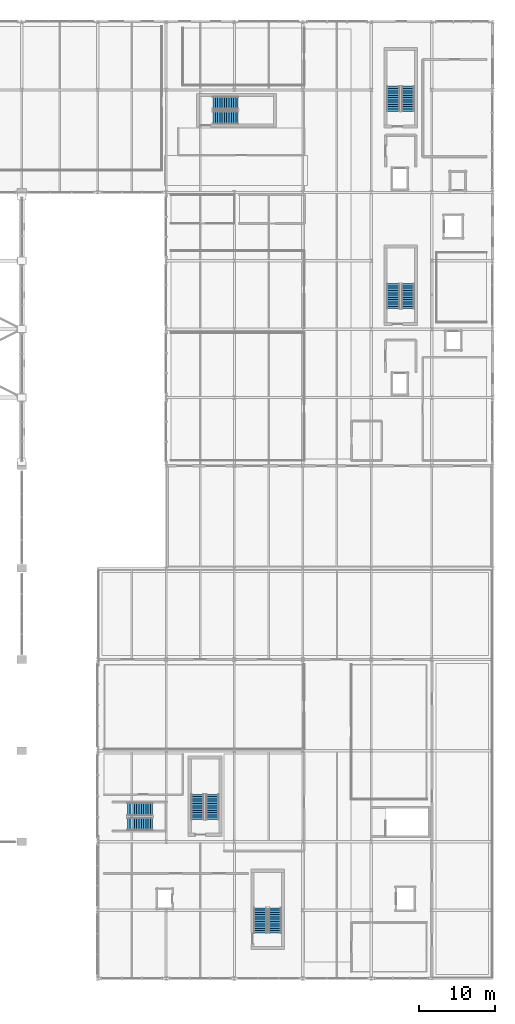
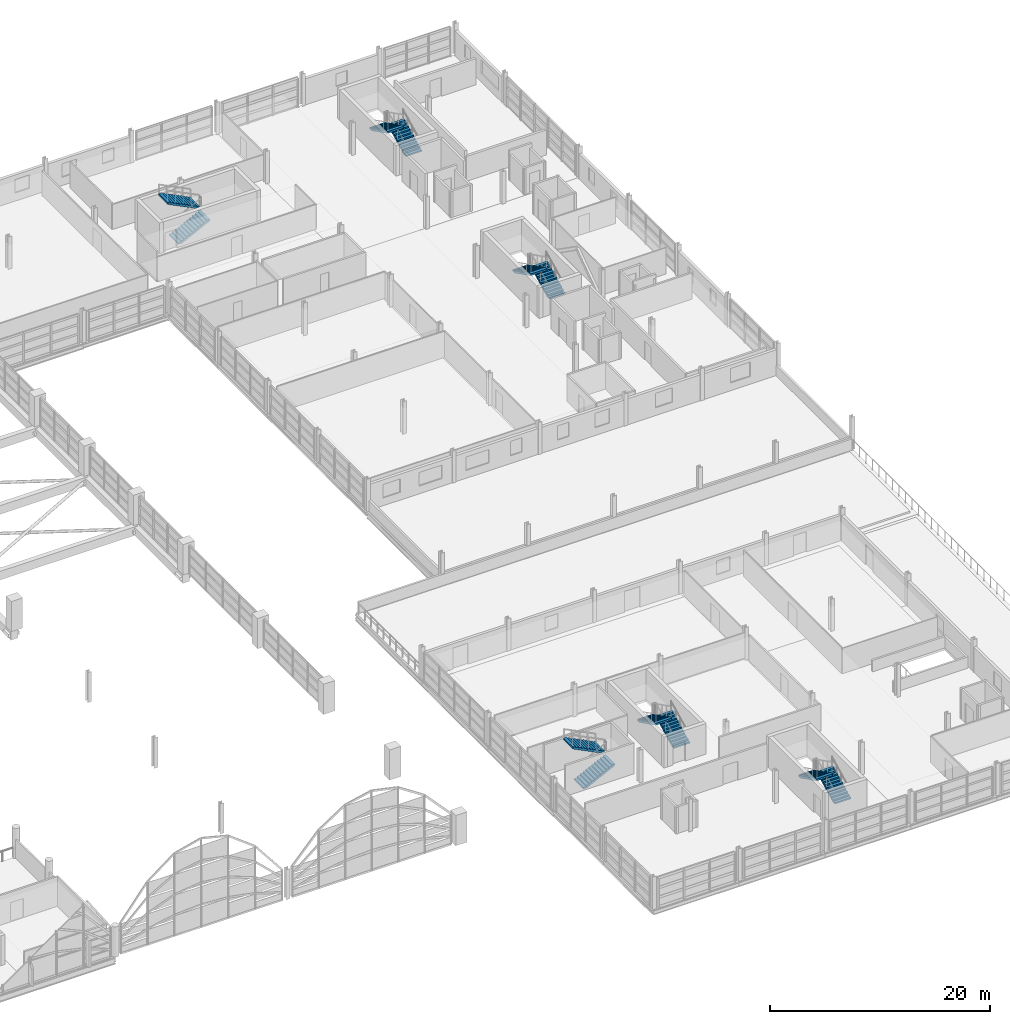
# One storey, part 104 of 116: 12 stair flights, 6 elements without a shape of their own.
"""IFC4 building model written with IfcOpenShell, lengths in metres."""

from ifc_helpers import new_model, si_unit, direction, frame, origin, place, context, subcontext, project, spatial, polyline, outline, extrude, material, type_object, element, aggregate, save


model = new_model("IFC4")

# Units and contexts
model_context = context("Model", 3, precision=1e-05, world=origin(), true_north=direction((0.0, 1.0)))
body_context = subcontext(model_context, "Body", "Model", "MODEL_VIEW")
ifc_project = project(units=[si_unit("LENGTHUNIT", "METRE"), si_unit("AREAUNIT", "SQUARE_METRE"), si_unit("VOLUMEUNIT", "CUBIC_METRE"), si_unit("PLANEANGLEUNIT", "RADIAN"), si_unit("MASSUNIT", "GRAM", prefix="KILO")], contexts=[model_context])

# Site, building, storey
site_placement = place(None, origin())
site = spatial("IfcSite", under=ifc_project, at=site_placement, CompositionType="ELEMENT")
building_placement = place(site_placement, origin())
building = spatial("IfcBuilding", under=site, at=building_placement, Name="Chuanluo Vaults Station", CompositionType="ELEMENT")
storey_placement = place(building_placement, frame((0.0, 0.0, 10.800048828125)))
storey = spatial("IfcBuildingStorey", under=building, at=storey_placement, Name="L02", CompositionType="ELEMENT", Elevation=10.800048828125)

# Stair, stair flights
ifc_material_1 = material(Name="Concrete C40", Category="concrete")
stair_type = type_object("IfcStairType", Name="STR-TWO-1600", PredefinedType="HALF_TURN_STAIR", material=ifc_material_1)
stair_1_placement = place(storey_placement, origin())
stair_1 = element("IfcStair", 1, at=stair_1_placement, inside=storey, type_object=stair_type, Name="L02 ST-01", PredefinedType="HALF_TURN_STAIR")
ifc_material_2 = material(Name="Concrete C40", Category="concrete")
stair_flight_type = type_object("IfcStairFlightType", Name="SFL-STR-1600", PredefinedType="STRAIGHT", material=ifc_material_2)
stair_flight_1_placement = place(storey_placement, frame((176.844970703125, 88.1875, 0.0), z_axis=(0.0, 0.0, 1.0), x_axis=(0.0, 1.0, 0.0)))
stair_flight_1 = element("IfcStairFlight", 2, at=stair_flight_1_placement, type_object=stair_flight_type, Name="ST-01 flight 1", NumberOfRisers=12, NumberOfTreads=11, PredefinedType="STRAIGHT", RiserHeight=0.15, TreadLength=0.3, context=body_context, shape_type="SweptSolid", body=[
    extrude(outline(polyline([(0.0, 0.0), (0.0, 0.14990234375), (0.300048828125, 0.14990234375), (0.300048828125, 0.300048828125), (0.60009765625, 0.300048828125), (0.60009765625, 0.449951171875), (0.89990234375, 0.449951171875), (0.89990234375, 0.60009765625), (1.199951171875, 0.60009765625), (1.199951171875, 0.75), (1.5, 0.75), (1.5, 0.89990234375), (1.800048828125, 0.89990234375), (1.800048828125, 1.050048828125), (2.10009765625, 1.050048828125), (2.10009765625, 1.199951171875), (2.39990234375, 1.199951171875), (2.39990234375, 1.35009765625), (2.699951171875, 1.35009765625), (2.699951171875, 1.5), (3.0, 1.5), (3.0, 1.64990234375), (3.300048828125, 1.64990234375), (3.300048828125, 1.800048828125), (3.300048828125, 1.44873046875), (0.40234375, 0.0), (0.0, 0.0)])), frame((0.0, 0.842529296875, 0.0), z_axis=(0.0, -1.0, 0.0), x_axis=(1.0, 0.0, 0.0)), (0.0, 0.0, 1.0), 1.68505859375),
])
stair_flight_2_placement = place(storey_placement, frame((174.909912109375, 91.487548828125, 1.800048828125), z_axis=(0.0, 0.0, 1.0), x_axis=(0.0, -1.0, 0.0)))
stair_flight_2 = element("IfcStairFlight", 3, at=stair_flight_2_placement, type_object=stair_flight_type, Name="ST-01 flight 2", NumberOfRisers=12, NumberOfTreads=11, PredefinedType="STRAIGHT", RiserHeight=0.15, TreadLength=0.3, context=body_context, shape_type="SweptSolid", body=[
    extrude(outline(polyline([(0.0, 0.0), (0.0, 0.14990234375), (0.300048828125, 0.14990234375), (0.300048828125, 0.300048828125), (0.60009765625, 0.300048828125), (0.60009765625, 0.449951171875), (0.89990234375, 0.449951171875), (0.89990234375, 0.60009765625), (1.199951171875, 0.60009765625), (1.199951171875, 0.75), (1.5, 0.75), (1.5, 0.89990234375), (1.800048828125, 0.89990234375), (1.800048828125, 1.050048828125), (2.10009765625, 1.050048828125), (2.10009765625, 1.199951171875), (2.39990234375, 1.199951171875), (2.39990234375, 1.35009765625), (2.699951171875, 1.35009765625), (2.699951171875, 1.5), (3.0, 1.5), (3.0, 1.64990234375), (3.300048828125, 1.64990234375), (3.300048828125, 1.800048828125), (3.300048828125, 1.44873046875), (0.40234375, 0.0), (0.0, 0.0)])), frame((0.0, 0.842529296875, 0.0), z_axis=(0.0, -1.0, 0.0), x_axis=(1.0, 0.0, 0.0)), (0.0, 0.0, 1.0), 1.68505859375),
])
aggregate(stair_1, [stair_flight_1, stair_flight_2])

stair_2_placement = place(storey_placement, origin())
stair_2 = element("IfcStair", 4, at=stair_2_placement, inside=storey, type_object=stair_type, Name="L02 ST-02", PredefinedType="HALF_TURN_STAIR")
stair_flight_3_placement = place(storey_placement, frame((176.844970703125, 114.1875, 0.0), z_axis=(0.0, 0.0, 1.0), x_axis=(0.0, 1.0, 0.0)))
stair_flight_3 = element("IfcStairFlight", 5, at=stair_flight_3_placement, type_object=stair_flight_type, Name="ST-02 flight 1", NumberOfRisers=12, NumberOfTreads=11, PredefinedType="STRAIGHT", RiserHeight=0.15, TreadLength=0.3, context=body_context, shape_type="SweptSolid", body=[
    extrude(outline(polyline([(0.0, 0.0), (0.0, 0.14990234375), (0.300048828125, 0.14990234375), (0.300048828125, 0.300048828125), (0.60009765625, 0.300048828125), (0.60009765625, 0.449951171875), (0.89990234375, 0.449951171875), (0.89990234375, 0.60009765625), (1.199951171875, 0.60009765625), (1.199951171875, 0.75), (1.5, 0.75), (1.5, 0.89990234375), (1.800048828125, 0.89990234375), (1.800048828125, 1.050048828125), (2.10009765625, 1.050048828125), (2.10009765625, 1.199951171875), (2.39990234375, 1.199951171875), (2.39990234375, 1.35009765625), (2.699951171875, 1.35009765625), (2.699951171875, 1.5), (3.0, 1.5), (3.0, 1.64990234375), (3.300048828125, 1.64990234375), (3.300048828125, 1.800048828125), (3.300048828125, 1.44873046875), (0.40234375, 0.0), (0.0, 0.0)])), frame((0.0, 0.842529296875, 0.0), z_axis=(0.0, -1.0, 0.0), x_axis=(1.0, 0.0, 0.0)), (0.0, 0.0, 1.0), 1.68505859375),
])
stair_flight_4_placement = place(storey_placement, frame((174.909912109375, 117.487548828125, 1.800048828125), z_axis=(0.0, 0.0, 1.0), x_axis=(0.0, -1.0, 0.0)))
stair_flight_4 = element("IfcStairFlight", 6, at=stair_flight_4_placement, type_object=stair_flight_type, Name="ST-02 flight 2", NumberOfRisers=12, NumberOfTreads=11, PredefinedType="STRAIGHT", RiserHeight=0.15, TreadLength=0.3, context=body_context, shape_type="SweptSolid", body=[
    extrude(outline(polyline([(0.0, 0.0), (0.0, 0.14990234375), (0.300048828125, 0.14990234375), (0.300048828125, 0.300048828125), (0.60009765625, 0.300048828125), (0.60009765625, 0.449951171875), (0.89990234375, 0.449951171875), (0.89990234375, 0.60009765625), (1.199951171875, 0.60009765625), (1.199951171875, 0.75), (1.5, 0.75), (1.5, 0.89990234375), (1.800048828125, 0.89990234375), (1.800048828125, 1.050048828125), (2.10009765625, 1.050048828125), (2.10009765625, 1.199951171875), (2.39990234375, 1.199951171875), (2.39990234375, 1.35009765625), (2.699951171875, 1.35009765625), (2.699951171875, 1.5), (3.0, 1.5), (3.0, 1.64990234375), (3.300048828125, 1.64990234375), (3.300048828125, 1.800048828125), (3.300048828125, 1.44873046875), (0.40234375, 0.0), (0.0, 0.0)])), frame((0.0, 0.842529296875, 0.0), z_axis=(0.0, -1.0, 0.0), x_axis=(1.0, 0.0, 0.0)), (0.0, 0.0, 1.0), 1.68505859375),
])
aggregate(stair_2, [stair_flight_3, stair_flight_4])

stair_3_placement = place(storey_placement, origin())
stair_3 = element("IfcStair", 7, at=stair_3_placement, inside=storey, type_object=stair_type, Name="L02 ST-03", PredefinedType="HALF_TURN_STAIR")
stair_flight_5_placement = place(storey_placement, frame((151.1875, 113.342529296875, 0.0), z_axis=(0.0, 0.0, 1.0), x_axis=(1.0, 0.0, 0.0)))
stair_flight_5 = element("IfcStairFlight", 8, at=stair_flight_5_placement, type_object=stair_flight_type, Name="ST-03 flight 1", NumberOfRisers=12, NumberOfTreads=11, PredefinedType="STRAIGHT", RiserHeight=0.15, TreadLength=0.3, context=body_context, shape_type="SweptSolid", body=[
    extrude(outline(polyline([(0.0, 0.0), (0.0, 0.14990234375), (0.300048828125, 0.14990234375), (0.300048828125, 0.300048828125), (0.60009765625, 0.300048828125), (0.60009765625, 0.449951171875), (0.89990234375, 0.449951171875), (0.89990234375, 0.60009765625), (1.199951171875, 0.60009765625), (1.199951171875, 0.75), (1.5, 0.75), (1.5, 0.89990234375), (1.800048828125, 0.89990234375), (1.800048828125, 1.050048828125), (2.10009765625, 1.050048828125), (2.10009765625, 1.199951171875), (2.39990234375, 1.199951171875), (2.39990234375, 1.35009765625), (2.699951171875, 1.35009765625), (2.699951171875, 1.5), (3.0, 1.5), (3.0, 1.64990234375), (3.300048828125, 1.64990234375), (3.300048828125, 1.800048828125), (3.300048828125, 1.44873046875), (0.40234375, 0.0), (0.0, 0.0)])), frame((0.0, 0.842529296875, 0.0), z_axis=(0.0, -1.0, 0.0), x_axis=(1.0, 0.0, 0.0)), (0.0, 0.0, 1.0), 1.68505859375),
])
stair_flight_6_placement = place(storey_placement, frame((154.487548828125, 115.277587890625, 1.800048828125), z_axis=(0.0, 0.0, 1.0), x_axis=(-1.0, 0.0, 0.0)))
stair_flight_6 = element("IfcStairFlight", 9, at=stair_flight_6_placement, type_object=stair_flight_type, Name="ST-03 flight 2", NumberOfRisers=12, NumberOfTreads=11, PredefinedType="STRAIGHT", RiserHeight=0.15, TreadLength=0.3, context=body_context, shape_type="SweptSolid", body=[
    extrude(outline(polyline([(0.0, 0.0), (0.0, 0.14990234375), (0.300048828125, 0.14990234375), (0.300048828125, 0.300048828125), (0.60009765625, 0.300048828125), (0.60009765625, 0.449951171875), (0.89990234375, 0.449951171875), (0.89990234375, 0.60009765625), (1.199951171875, 0.60009765625), (1.199951171875, 0.75), (1.5, 0.75), (1.5, 0.89990234375), (1.800048828125, 0.89990234375), (1.800048828125, 1.050048828125), (2.10009765625, 1.050048828125), (2.10009765625, 1.199951171875), (2.39990234375, 1.199951171875), (2.39990234375, 1.35009765625), (2.699951171875, 1.35009765625), (2.699951171875, 1.5), (3.0, 1.5), (3.0, 1.64990234375), (3.300048828125, 1.64990234375), (3.300048828125, 1.800048828125), (3.300048828125, 1.44873046875), (0.40234375, 0.0), (0.0, 0.0)])), frame((0.0, 0.842529296875, 0.0), z_axis=(0.0, -1.0, 0.0), x_axis=(1.0, 0.0, 0.0)), (0.0, 0.0, 1.0), 1.68505859375),
])
aggregate(stair_3, [stair_flight_5, stair_flight_6])

stair_4_placement = place(storey_placement, origin())
stair_4 = element("IfcStair", 10, at=stair_4_placement, inside=storey, type_object=stair_type, Name="L02 ST-04", PredefinedType="HALF_TURN_STAIR")
stair_flight_7_placement = place(storey_placement, frame((151.094970703125, 20.9375, 0.0), z_axis=(0.0, 0.0, 1.0), x_axis=(0.0, 1.0, 0.0)))
stair_flight_7 = element("IfcStairFlight", 11, at=stair_flight_7_placement, type_object=stair_flight_type, Name="ST-04 flight 1", NumberOfRisers=12, NumberOfTreads=11, PredefinedType="STRAIGHT", RiserHeight=0.15, TreadLength=0.3, context=body_context, shape_type="SweptSolid", body=[
    extrude(outline(polyline([(0.0, 0.0), (0.0, 0.14990234375), (0.300048828125, 0.14990234375), (0.300048828125, 0.300048828125), (0.60009765625, 0.300048828125), (0.60009765625, 0.449951171875), (0.89990234375, 0.449951171875), (0.89990234375, 0.60009765625), (1.199951171875, 0.60009765625), (1.199951171875, 0.75), (1.5, 0.75), (1.5, 0.89990234375), (1.800048828125, 0.89990234375), (1.800048828125, 1.050048828125), (2.10009765625, 1.050048828125), (2.10009765625, 1.199951171875), (2.39990234375, 1.199951171875), (2.39990234375, 1.35009765625), (2.699951171875, 1.35009765625), (2.699951171875, 1.5), (3.0, 1.5), (3.0, 1.64990234375), (3.300048828125, 1.64990234375), (3.300048828125, 1.800048828125), (3.300048828125, 1.44873046875), (0.40234375, 0.0), (0.0, 0.0)])), frame((0.0, 0.842529296875, 0.0), z_axis=(0.0, -1.0, 0.0), x_axis=(1.0, 0.0, 0.0)), (0.0, 0.0, 1.0), 1.68505859375),
])
stair_flight_8_placement = place(storey_placement, frame((149.159912109375, 24.237548828125, 1.800048828125), z_axis=(0.0, 0.0, 1.0), x_axis=(0.0, -1.0, 0.0)))
stair_flight_8 = element("IfcStairFlight", 12, at=stair_flight_8_placement, type_object=stair_flight_type, Name="ST-04 flight 2", NumberOfRisers=12, NumberOfTreads=11, PredefinedType="STRAIGHT", RiserHeight=0.15, TreadLength=0.3, context=body_context, shape_type="SweptSolid", body=[
    extrude(outline(polyline([(0.0, 0.0), (0.0, 0.14990234375), (0.300048828125, 0.14990234375), (0.300048828125, 0.300048828125), (0.60009765625, 0.300048828125), (0.60009765625, 0.449951171875), (0.89990234375, 0.449951171875), (0.89990234375, 0.60009765625), (1.199951171875, 0.60009765625), (1.199951171875, 0.75), (1.5, 0.75), (1.5, 0.89990234375), (1.800048828125, 0.89990234375), (1.800048828125, 1.050048828125), (2.10009765625, 1.050048828125), (2.10009765625, 1.199951171875), (2.39990234375, 1.199951171875), (2.39990234375, 1.35009765625), (2.699951171875, 1.35009765625), (2.699951171875, 1.5), (3.0, 1.5), (3.0, 1.64990234375), (3.300048828125, 1.64990234375), (3.300048828125, 1.800048828125), (3.300048828125, 1.44873046875), (0.40234375, 0.0), (0.0, 0.0)])), frame((0.0, 0.842529296875, 0.0), z_axis=(0.0, -1.0, 0.0), x_axis=(1.0, 0.0, 0.0)), (0.0, 0.0, 1.0), 1.68505859375),
])
aggregate(stair_4, [stair_flight_7, stair_flight_8])

stair_5_placement = place(storey_placement, origin())
stair_5 = element("IfcStair", 13, at=stair_5_placement, inside=storey, type_object=stair_type, Name="L02 ST-05", PredefinedType="HALF_TURN_STAIR")
stair_flight_9_placement = place(storey_placement, frame((159.344970703125, 6.0, 0.0), z_axis=(0.0, 0.0, 1.0), x_axis=(0.0, 1.0, 0.0)))
stair_flight_9 = element("IfcStairFlight", 14, at=stair_flight_9_placement, type_object=stair_flight_type, Name="ST-05 flight 1", NumberOfRisers=12, NumberOfTreads=11, PredefinedType="STRAIGHT", RiserHeight=0.15, TreadLength=0.3, context=body_context, shape_type="SweptSolid", body=[
    extrude(outline(polyline([(0.0, 0.0), (0.0, 0.14990234375), (0.300048828125, 0.14990234375), (0.300048828125, 0.300048828125), (0.60009765625, 0.300048828125), (0.60009765625, 0.449951171875), (0.89990234375, 0.449951171875), (0.89990234375, 0.60009765625), (1.199951171875, 0.60009765625), (1.199951171875, 0.75), (1.5, 0.75), (1.5, 0.89990234375), (1.800048828125, 0.89990234375), (1.800048828125, 1.050048828125), (2.10009765625, 1.050048828125), (2.10009765625, 1.199951171875), (2.39990234375, 1.199951171875), (2.39990234375, 1.35009765625), (2.699951171875, 1.35009765625), (2.699951171875, 1.5), (3.0, 1.5), (3.0, 1.64990234375), (3.300048828125, 1.64990234375), (3.300048828125, 1.800048828125), (3.300048828125, 1.44873046875), (0.40234375, 0.0), (0.0, 0.0)])), frame((0.0, 0.842529296875, 0.0), z_axis=(0.0, -1.0, 0.0), x_axis=(1.0, 0.0, 0.0)), (0.0, 0.0, 1.0), 1.68505859375),
])
stair_flight_10_placement = place(storey_placement, frame((157.409912109375, 9.300048828125, 1.800048828125), z_axis=(0.0, 0.0, 1.0), x_axis=(0.0, -1.0, 0.0)))
stair_flight_10 = element("IfcStairFlight", 15, at=stair_flight_10_placement, type_object=stair_flight_type, Name="ST-05 flight 2", NumberOfRisers=12, NumberOfTreads=11, PredefinedType="STRAIGHT", RiserHeight=0.15, TreadLength=0.3, context=body_context, shape_type="SweptSolid", body=[
    extrude(outline(polyline([(0.0, 0.0), (0.0, 0.14990234375), (0.300048828125, 0.14990234375), (0.300048828125, 0.300048828125), (0.60009765625, 0.300048828125), (0.60009765625, 0.449951171875), (0.89990234375, 0.449951171875), (0.89990234375, 0.60009765625), (1.199951171875, 0.60009765625), (1.199951171875, 0.75), (1.5, 0.75), (1.5, 0.89990234375), (1.800048828125, 0.89990234375), (1.800048828125, 1.050048828125), (2.10009765625, 1.050048828125), (2.10009765625, 1.199951171875), (2.39990234375, 1.199951171875), (2.39990234375, 1.35009765625), (2.699951171875, 1.35009765625), (2.699951171875, 1.5), (3.0, 1.5), (3.0, 1.64990234375), (3.300048828125, 1.64990234375), (3.300048828125, 1.800048828125), (3.300048828125, 1.44873046875), (0.40234375, 0.0), (0.0, 0.0)])), frame((0.0, 0.842529296875, 0.0), z_axis=(0.0, -1.0, 0.0), x_axis=(1.0, 0.0, 0.0)), (0.0, 0.0, 1.0), 1.68505859375),
])
aggregate(stair_5, [stair_flight_9, stair_flight_10])

stair_6_placement = place(storey_placement, origin())
stair_6 = element("IfcStair", 16, at=stair_6_placement, inside=storey, type_object=stair_type, Name="L02 ST-28", PredefinedType="HALF_TURN_STAIR")
stair_flight_11_placement = place(storey_placement, frame((139.9375, 20.342529296875, 0.0), z_axis=(0.0, 0.0, 1.0), x_axis=(1.0, 0.0, 0.0)))
stair_flight_11 = element("IfcStairFlight", 17, at=stair_flight_11_placement, type_object=stair_flight_type, Name="ST-28 flight 1", NumberOfRisers=12, NumberOfTreads=11, PredefinedType="STRAIGHT", RiserHeight=0.15, TreadLength=0.3, context=body_context, shape_type="SweptSolid", body=[
    extrude(outline(polyline([(0.0, 0.0), (0.0, 0.14990234375), (0.300048828125, 0.14990234375), (0.300048828125, 0.300048828125), (0.60009765625, 0.300048828125), (0.60009765625, 0.449951171875), (0.89990234375, 0.449951171875), (0.89990234375, 0.60009765625), (1.199951171875, 0.60009765625), (1.199951171875, 0.75), (1.5, 0.75), (1.5, 0.89990234375), (1.800048828125, 0.89990234375), (1.800048828125, 1.050048828125), (2.10009765625, 1.050048828125), (2.10009765625, 1.199951171875), (2.39990234375, 1.199951171875), (2.39990234375, 1.35009765625), (2.699951171875, 1.35009765625), (2.699951171875, 1.5), (3.0, 1.5), (3.0, 1.64990234375), (3.300048828125, 1.64990234375), (3.300048828125, 1.800048828125), (3.300048828125, 1.44873046875), (0.40234375, 0.0), (0.0, 0.0)])), frame((0.0, 0.842529296875, 0.0), z_axis=(0.0, -1.0, 0.0), x_axis=(1.0, 0.0, 0.0)), (0.0, 0.0, 1.0), 1.68505859375),
])
stair_flight_12_placement = place(storey_placement, frame((143.237548828125, 22.277587890625, 1.800048828125), z_axis=(0.0, 0.0, 1.0), x_axis=(-1.0, 0.0, 0.0)))
stair_flight_12 = element("IfcStairFlight", 18, at=stair_flight_12_placement, type_object=stair_flight_type, Name="ST-28 flight 2", NumberOfRisers=12, NumberOfTreads=11, PredefinedType="STRAIGHT", RiserHeight=0.15, TreadLength=0.3, context=body_context, shape_type="SweptSolid", body=[
    extrude(outline(polyline([(0.0, 0.0), (0.0, 0.14990234375), (0.300048828125, 0.14990234375), (0.300048828125, 0.300048828125), (0.60009765625, 0.300048828125), (0.60009765625, 0.449951171875), (0.89990234375, 0.449951171875), (0.89990234375, 0.60009765625), (1.199951171875, 0.60009765625), (1.199951171875, 0.75), (1.5, 0.75), (1.5, 0.89990234375), (1.800048828125, 0.89990234375), (1.800048828125, 1.050048828125), (2.10009765625, 1.050048828125), (2.10009765625, 1.199951171875), (2.39990234375, 1.199951171875), (2.39990234375, 1.35009765625), (2.699951171875, 1.35009765625), (2.699951171875, 1.5), (3.0, 1.5), (3.0, 1.64990234375), (3.300048828125, 1.64990234375), (3.300048828125, 1.800048828125), (3.300048828125, 1.44873046875), (0.40234375, 0.0), (0.0, 0.0)])), frame((0.0, 0.842529296875, 0.0), z_axis=(0.0, -1.0, 0.0), x_axis=(1.0, 0.0, 0.0)), (0.0, 0.0, 1.0), 1.68505859375),
])
aggregate(stair_6, [stair_flight_11, stair_flight_12])

save(model, "model.ifc")
